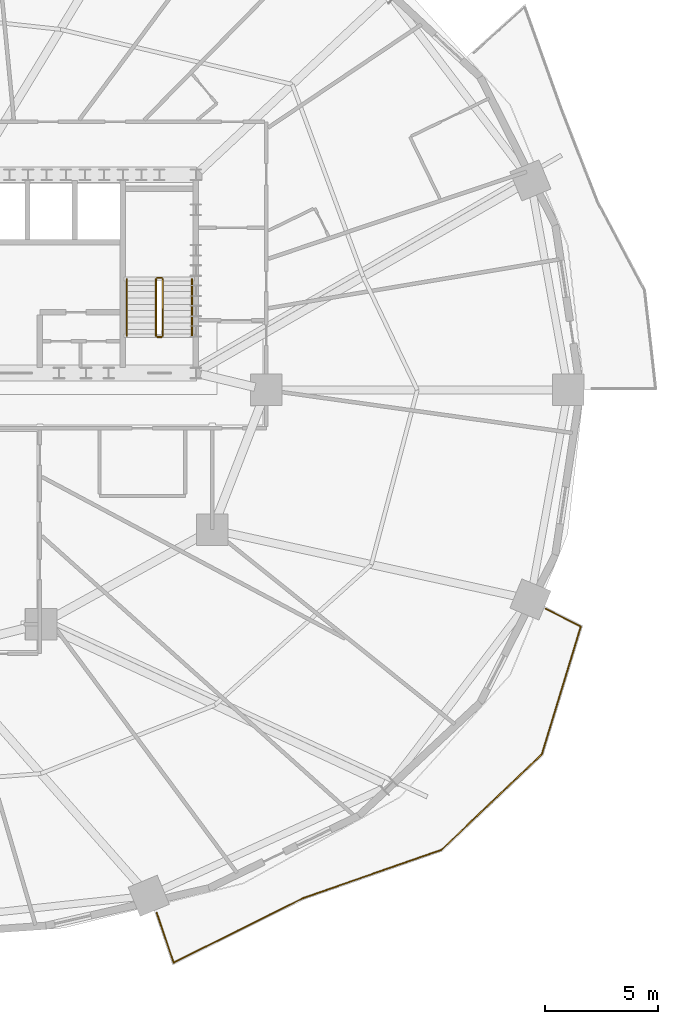
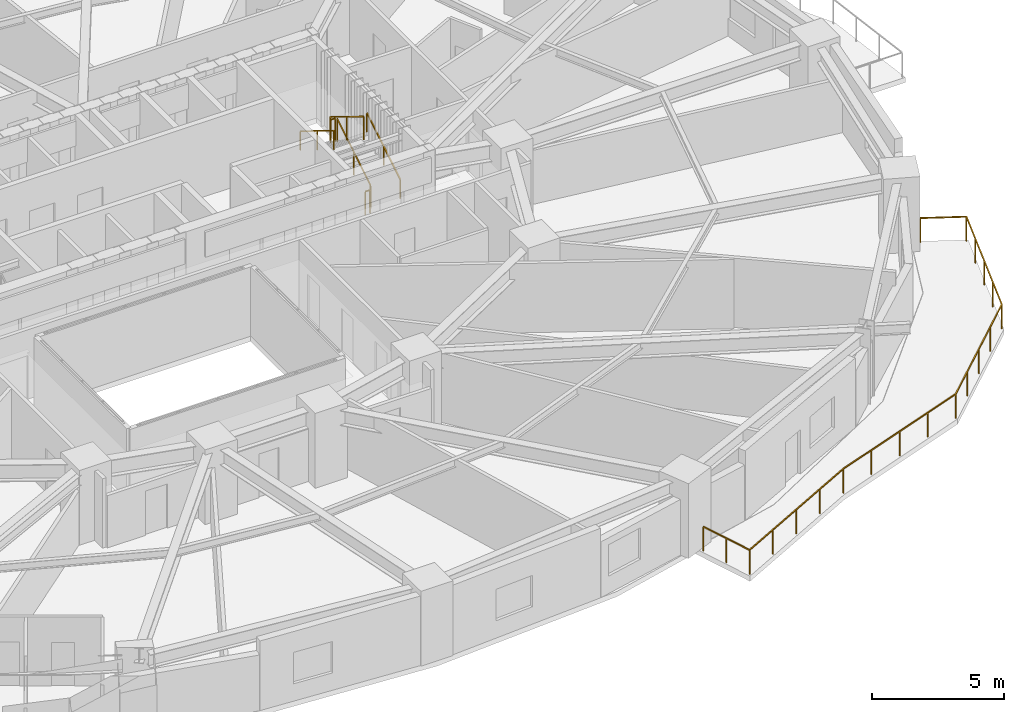
# One storey, part 16 of 17: 7 railings.
"""IFC4 building model written with IfcOpenShell, lengths in metres."""

from ifc_helpers import new_model, si_unit, direction, frame, origin, origin_2d, place, context, subcontext, project, spatial, rectangle, extrude, material, type_object, element, save


model = new_model("IFC4")

# Units and contexts
model_context = context("Model", 3, precision=1e-05, world=origin(), true_north=direction((0.0, 1.0)))
body_context = subcontext(model_context, "Body", "Model", "MODEL_VIEW")
ifc_project = project(units=[si_unit("LENGTHUNIT", "METRE"), si_unit("AREAUNIT", "SQUARE_METRE"), si_unit("VOLUMEUNIT", "CUBIC_METRE"), si_unit("PLANEANGLEUNIT", "RADIAN"), si_unit("MASSUNIT", "GRAM", prefix="KILO")], contexts=[model_context])

# Site, building, storey
site_placement = place(None, origin())
site = spatial("IfcSite", under=ifc_project, at=site_placement, CompositionType="ELEMENT")
building_placement = place(site_placement, origin())
building = spatial("IfcBuilding", under=site, at=building_placement, Name="Haldorwick Loom Tower", CompositionType="ELEMENT")
storey_placement = place(building_placement, frame((0.0, 0.0, 61.949951171875)))
storey = spatial("IfcBuildingStorey", under=building, at=storey_placement, Name="L16", CompositionType="ELEMENT", Elevation=61.949951171875)

# Railings
ifc_material_1 = material(Name="Galvanized Steel CSA G40.21 350W", Category="steel")
railing_type_1 = type_object("IfcRailingType", Name="ARC-RLG-BAL115", PredefinedType="BALUSTRADE", material=ifc_material_1)
railing_1_placement = place(storey_placement, frame((65.593994140625, 16.29150390625, 0.0)))
element("IfcRailing", 1, at=railing_1_placement, inside=storey, type_object=railing_type_1, Name="L16 Outdoor Terrace Guardrail SLB-L16-BAL_SE-1", PredefinedType="BALUSTRADE", context=body_context, shape_type="SweptSolid", body=[
    extrude(rectangle(XDim=0.048095703125, YDim=0.048095703125, at=origin_2d()), frame((0.0, 0.0, 1.1259765625), z_axis=(0.891307713143, -0.453398897761, 0.0), x_axis=(0.453398897761, 0.891307713143, 0.0)), (0.0, 0.0, 1.0), 1.74951171875),
    extrude(rectangle(XDim=0.048095703125, YDim=0.048095703125, at=origin_2d()), frame((1.559326171875, -0.793212890625, 1.1259765625), z_axis=(-0.292158928936, -0.956369782167, 0.0), x_axis=(0.956369782167, -0.292158928936, 0.0)), (0.0, 0.0, 1.0), 5.931396484375),
    extrude(rectangle(XDim=0.048095703125, YDim=0.048095703125, at=origin_2d()), frame((-0.173583984375, -6.4658203125, 1.1259765625), z_axis=(-0.724642252261, -0.689125247134, 0.0), x_axis=(0.689125247134, -0.724642252261, 0.0)), (0.0, 0.0, 1.0), 6.145263671875),
    extrude(rectangle(XDim=0.048095703125, YDim=0.048095703125, at=origin_2d()), frame((-4.626708984375, -10.70068359375, 1.1259765625), z_axis=(-0.944070435486, -0.329743859444, 0.0), x_axis=(0.329743859444, -0.944070435486, 0.0)), (0.0, 0.0, 1.0), 6.5087890625),
    extrude(rectangle(XDim=0.048095703125, YDim=0.048095703125, at=origin_2d()), frame((-10.771484375, -12.846923828125, 1.1259765625), z_axis=(-0.925168618375, -0.379556356256, 0.0), x_axis=(0.379556356256, -0.925168618375, 0.0)), (0.0, 0.0, 1.0), 0.01025390625),
    extrude(rectangle(XDim=0.048095703125, YDim=0.048095703125, at=origin_2d()), frame((-10.781005859375, -12.850830078125, 1.1259765625), z_axis=(-0.895074166338, -0.445917298112, 0.0), x_axis=(0.445917298112, -0.895074166338, 0.0)), (0.0, 0.0, 1.0), 6.40576171875),
    extrude(rectangle(XDim=0.048095703125, YDim=0.048095703125, at=origin_2d()), frame((-16.5146484375, -15.707275390625, 1.1259765625), z_axis=(-0.318648041884, 0.947873106171, 0.0), x_axis=(-0.947873106171, -0.318648041884, 0.0)), (0.0, 0.0, 1.0), 2.3291015625),
    extrude(rectangle(XDim=0.0419921875, YDim=0.0419921875, at=origin_2d()), origin(), (0.0, 0.0, 1.0), 1.101806640625),
    extrude(rectangle(XDim=0.0419921875, YDim=0.0419921875, at=origin_2d()), frame((1.559326171875, -0.793212890625, 0.0)), (0.0, 0.0, 1.0), 1.101806640625),
    extrude(rectangle(XDim=0.0419921875, YDim=0.0419921875, at=origin_2d()), frame((1.1259765625, -2.21142578125, 0.0)), (0.0, 0.0, 1.0), 1.101806640625),
    extrude(rectangle(XDim=0.0419921875, YDim=0.0419921875, at=origin_2d()), frame((0.69287109375, -3.62939453125, 0.0)), (0.0, 0.0, 1.0), 1.101806640625),
    extrude(rectangle(XDim=0.0419921875, YDim=0.0419921875, at=origin_2d()), frame((0.259765625, -5.047607421875, 0.0)), (0.0, 0.0, 1.0), 1.101806640625),
    extrude(rectangle(XDim=0.0419921875, YDim=0.0419921875, at=origin_2d()), frame((-0.173583984375, -6.4658203125, 0.0)), (0.0, 0.0, 1.0), 1.101806640625),
    extrude(rectangle(XDim=0.0419921875, YDim=0.0419921875, at=origin_2d()), frame((-1.286865234375, -7.5244140625, 0.0)), (0.0, 0.0, 1.0), 1.101806640625),
    extrude(rectangle(XDim=0.0419921875, YDim=0.0419921875, at=origin_2d()), frame((-2.400146484375, -8.583251953125, 0.0)), (0.0, 0.0, 1.0), 1.101806640625),
    extrude(rectangle(XDim=0.0419921875, YDim=0.0419921875, at=origin_2d()), frame((-3.513427734375, -9.64208984375, 0.0)), (0.0, 0.0, 1.0), 1.101806640625),
    extrude(rectangle(XDim=0.0419921875, YDim=0.0419921875, at=origin_2d()), frame((-4.626708984375, -10.70068359375, 0.0)), (0.0, 0.0, 1.0), 1.101806640625),
    extrude(rectangle(XDim=0.0419921875, YDim=0.0419921875, at=origin_2d()), frame((-6.162841796875, -11.2373046875, 0.0)), (0.0, 0.0, 1.0), 1.101806640625),
    extrude(rectangle(XDim=0.0419921875, YDim=0.0419921875, at=origin_2d()), frame((-7.69921875, -11.77392578125, 0.0)), (0.0, 0.0, 1.0), 1.101806640625),
    extrude(rectangle(XDim=0.0419921875, YDim=0.0419921875, at=origin_2d()), frame((-9.2353515625, -12.310302734375, 0.0)), (0.0, 0.0, 1.0), 1.101806640625),
    extrude(rectangle(XDim=0.0419921875, YDim=0.0419921875, at=origin_2d()), frame((-10.771484375, -12.846923828125, 0.0)), (0.0, 0.0, 1.0), 1.101806640625),
    extrude(rectangle(XDim=0.0419921875, YDim=0.0419921875, at=origin_2d()), frame((-12.21435546875, -13.56494140625, 0.0)), (0.0, 0.0, 1.0), 1.101806640625),
    extrude(rectangle(XDim=0.0419921875, YDim=0.0419921875, at=origin_2d()), frame((-13.64794921875, -14.279052734375, 0.0)), (0.0, 0.0, 1.0), 1.101806640625),
    extrude(rectangle(XDim=0.0419921875, YDim=0.0419921875, at=origin_2d()), frame((-15.081298828125, -14.9931640625, 0.0)), (0.0, 0.0, 1.0), 1.101806640625),
    extrude(rectangle(XDim=0.0419921875, YDim=0.0419921875, at=origin_2d()), frame((-16.5146484375, -15.707275390625, 0.0)), (0.0, 0.0, 1.0), 1.101806640625),
    extrude(rectangle(XDim=0.0419921875, YDim=0.0419921875, at=origin_2d()), frame((-16.8857421875, -14.603515625, 0.0)), (0.0, 0.0, 1.0), 1.101806640625),
    extrude(rectangle(XDim=0.0419921875, YDim=0.0419921875, at=origin_2d()), frame((-17.2568359375, -13.49951171875, 0.0)), (0.0, 0.0, 1.0), 1.101806640625),
])
ifc_material_2 = material(Name="Steel CSA G40.21 350W", Category="steel")
railing_type_2 = type_object("IfcRailingType", Name="ARC-RLG-GUARD112", PredefinedType="GUARDRAIL", material=ifc_material_2)
railing_2_placement = place(storey_placement, frame((48.60009765625, 28.39990234375, 0.172607421875)))
element("IfcRailing", 2, at=railing_2_placement, inside=storey, type_object=railing_type_2, Name="L16 ST-02 stair guard 1", PredefinedType="GUARDRAIL", context=body_context, shape_type="SweptSolid", body=[
    extrude(rectangle(XDim=0.048095703125, YDim=0.048095703125, at=origin_2d()), frame((0.0, 0.0, 1.076171875), z_axis=(0.0, 0.851400495292, 0.524516154772), x_axis=(-1.0, 0.0, 0.0)), (0.0, 0.0, 1.0), 2.9599609375),
    extrude(rectangle(XDim=0.0419921875, YDim=0.0419921875, at=origin_2d()), origin(), (0.0, 0.0, 1.0), 1.052001953125),
    extrude(rectangle(XDim=0.0419921875, YDim=0.0419921875, at=origin_2d()), frame((0.0, 1.260009765625, 0.7763671875)), (0.0, 0.0, 1.0), 1.052001953125),
    extrude(rectangle(XDim=0.0419921875, YDim=0.0419921875, at=origin_2d()), frame((0.0, 2.52001953125, 1.552490234375)), (0.0, 0.0, 1.0), 1.052001953125),
])
railing_3_placement = place(storey_placement, frame((48.550048828125, 30.969970703125, 1.72509765625)))
element("IfcRailing", 3, at=railing_3_placement, inside=storey, type_object=railing_type_2, Name="L16 ST-02 stair guard 2", PredefinedType="GUARDRAIL", context=body_context, shape_type="SweptSolid", body=[
    extrude(rectangle(XDim=0.048095703125, YDim=0.048095703125, at=origin_2d()), frame((0.0, 0.0, 1.076171875), z_axis=(-1.0, 0.0, 0.0), x_axis=(0.0, -1.0, 0.0)), (0.0, 0.0, 1.0), 0.199951171875),
    extrude(rectangle(XDim=0.0419921875, YDim=0.0419921875, at=origin_2d()), origin(), (0.0, 0.0, 1.0), 1.052001953125),
    extrude(rectangle(XDim=0.0419921875, YDim=0.0419921875, at=origin_2d()), frame((-0.199951171875, 0.0, 0.0)), (0.0, 0.0, 1.0), 1.052001953125),
])
railing_4_placement = place(storey_placement, frame((48.300048828125, 30.919921875, 1.8974609375)))
element("IfcRailing", 4, at=railing_4_placement, inside=storey, type_object=railing_type_2, Name="L16 ST-02 stair guard 3", PredefinedType="GUARDRAIL", context=body_context, shape_type="SweptSolid", body=[
    extrude(rectangle(XDim=0.048095703125, YDim=0.048095703125, at=origin_2d()), frame((0.0, 0.0, 1.076171875), z_axis=(0.0, -0.851400495292, 0.524516154772), x_axis=(1.0, 0.0, 0.0)), (0.0, 0.0, 1.0), 2.9599609375),
    extrude(rectangle(XDim=0.0419921875, YDim=0.0419921875, at=origin_2d()), origin(), (0.0, 0.0, 1.0), 1.052001953125),
    extrude(rectangle(XDim=0.0419921875, YDim=0.0419921875, at=origin_2d()), frame((0.0, -1.260009765625, 0.7763671875)), (0.0, 0.0, 1.0), 1.052001953125),
    extrude(rectangle(XDim=0.0419921875, YDim=0.0419921875, at=origin_2d()), frame((0.0, -2.52001953125, 1.552490234375)), (0.0, 0.0, 1.0), 1.052001953125),
])
railing_5_placement = place(storey_placement, frame((48.550048828125, 28.35009765625, 0.0)))
element("IfcRailing", 5, at=railing_5_placement, inside=storey, type_object=railing_type_2, Name="L16 ST-02 stair guard 4", PredefinedType="GUARDRAIL", context=body_context, shape_type="SweptSolid", body=[
    extrude(rectangle(XDim=0.048095703125, YDim=0.048095703125, at=origin_2d()), frame((0.0, 0.0, 1.076171875), z_axis=(-1.0, 0.0, 0.0), x_axis=(0.0, -1.0, 0.0)), (0.0, 0.0, 1.0), 0.199951171875),
    extrude(rectangle(XDim=0.0419921875, YDim=0.0419921875, at=origin_2d()), origin(), (0.0, 0.0, 1.0), 1.052001953125),
    extrude(rectangle(XDim=0.0419921875, YDim=0.0419921875, at=origin_2d()), frame((-0.199951171875, 0.0, 0.0)), (0.0, 0.0, 1.0), 1.052001953125),
])
railing_type_3 = type_object("IfcRailingType", Name="ARC-RLG-HAND092", PredefinedType="HANDRAIL", material=ifc_material_2)
railing_6_placement = place(storey_placement, frame((49.89990234375, 28.39990234375, 0.172607421875)))
element("IfcRailing", 6, at=railing_6_placement, inside=storey, type_object=railing_type_3, Name="L16 ST-02 stair handrail 1", PredefinedType="HANDRAIL", context=body_context, shape_type="SweptSolid", body=[
    extrude(rectangle(XDim=0.048095703125, YDim=0.048095703125, at=origin_2d()), frame((0.0, 0.0, 0.8759765625), z_axis=(0.0, 0.851400495292, 0.524516154772), x_axis=(-1.0, 0.0, 0.0)), (0.0, 0.0, 1.0), 2.9599609375),
    extrude(rectangle(XDim=0.0419921875, YDim=0.0419921875, at=origin_2d()), origin(), (0.0, 0.0, 1.0), 0.851806640625),
    extrude(rectangle(XDim=0.0419921875, YDim=0.0419921875, at=origin_2d()), frame((0.0, 1.260009765625, 0.7763671875)), (0.0, 0.0, 1.0), 0.851806640625),
    extrude(rectangle(XDim=0.0419921875, YDim=0.0419921875, at=origin_2d()), frame((0.0, 2.52001953125, 1.552490234375)), (0.0, 0.0, 1.0), 0.851806640625),
])
railing_7_placement = place(storey_placement, frame((47.0, 30.919921875, 1.8974609375)))
element("IfcRailing", 7, at=railing_7_placement, inside=storey, type_object=railing_type_3, Name="L16 ST-02 stair handrail 2", PredefinedType="HANDRAIL", context=body_context, shape_type="SweptSolid", body=[
    extrude(rectangle(XDim=0.048095703125, YDim=0.048095703125, at=origin_2d()), frame((0.0, 0.0, 0.8759765625), z_axis=(0.0, -0.851400495292, 0.524516154772), x_axis=(1.0, 0.0, 0.0)), (0.0, 0.0, 1.0), 2.9599609375),
    extrude(rectangle(XDim=0.0419921875, YDim=0.0419921875, at=origin_2d()), origin(), (0.0, 0.0, 1.0), 0.851806640625),
    extrude(rectangle(XDim=0.0419921875, YDim=0.0419921875, at=origin_2d()), frame((0.0, -1.260009765625, 0.7763671875)), (0.0, 0.0, 1.0), 0.851806640625),
    extrude(rectangle(XDim=0.0419921875, YDim=0.0419921875, at=origin_2d()), frame((0.0, -2.52001953125, 1.552490234375)), (0.0, 0.0, 1.0), 0.851806640625),
])

save(model, "model.ifc")
